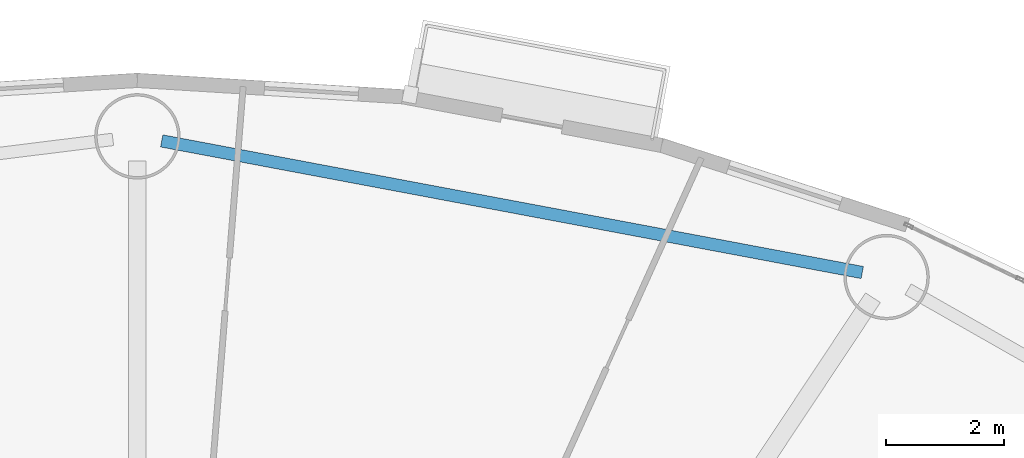
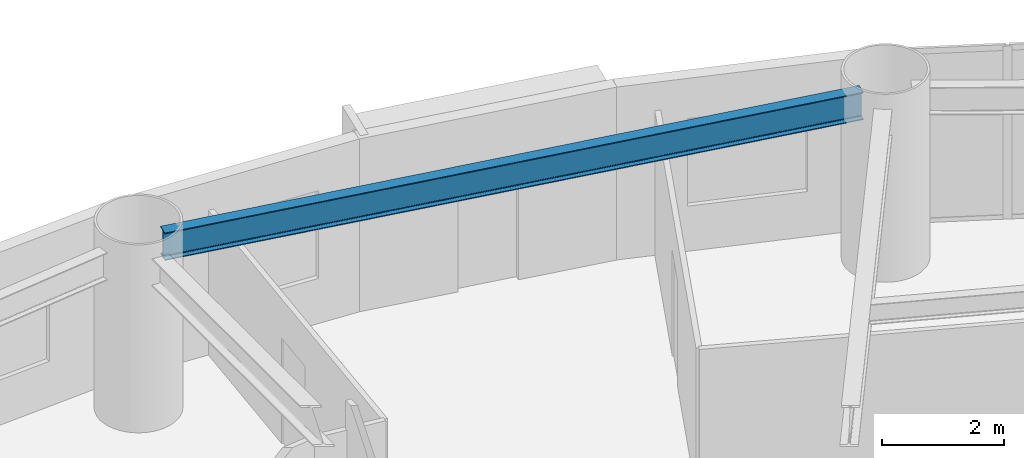
# One storey, part 4 of 17: 1 beam.
"""IFC4 building model written with IfcOpenShell, lengths in metres."""

from ifc_helpers import new_model, si_unit, direction, frame, origin, origin_2d, place, context, subcontext, project, spatial, i_section, extrude, material, material_profile, profile_set, type_object, element, save


model = new_model("IFC4")

# Units and contexts
model_context = context("Model", 3, precision=1e-05, world=origin(), true_north=direction((0.0, 1.0)))
body_context = subcontext(model_context, "Body", "Model", "MODEL_VIEW")
ifc_project = project(units=[si_unit("LENGTHUNIT", "METRE"), si_unit("AREAUNIT", "SQUARE_METRE"), si_unit("VOLUMEUNIT", "CUBIC_METRE"), si_unit("PLANEANGLEUNIT", "RADIAN"), si_unit("MASSUNIT", "GRAM", prefix="KILO")], contexts=[model_context])

# Site, building, storey
site_placement = place(None, origin())
site = spatial("IfcSite", under=ifc_project, at=site_placement, CompositionType="ELEMENT")
building_placement = place(site_placement, origin())
building = spatial("IfcBuilding", under=site, at=building_placement, Name="Linh Dai School and Residence Tower", CompositionType="ELEMENT")
storey_placement = place(building_placement, frame((0.0, 0.0, 142.199951171875)))
storey = spatial("IfcBuildingStorey", under=building, at=storey_placement, Name="L34", CompositionType="ELEMENT", Elevation=142.199951171875)

# Beam
ifc_material = material(Name="Structural Steel S355JR", Category="steel")
ifc_material_profile = material_profile(ifc_material, i_section(OverallWidth=0.2099609375, OverallDepth=0.550048828125, WebThickness=0.010986328125, FlangeThickness=0.01708984375, FilletRadius=0.02392578125, at=origin_2d()), Name="IPE 550")
ifc_profile_set = profile_set([ifc_material_profile], Name="Structural Steel S355JR")
beam_type = type_object("IfcBeamType", Name="BM-RB55", PredefinedType="BEAM", material=ifc_profile_set)
beam_placement = place(storey_placement, frame((48.30908203125, 46.24267578125, 3.175048828125), z_axis=(-0.982807507457, 0.184633158685, 0.0), x_axis=(-0.184633158685, -0.982807507457, 0.0)))
element("IfcBeam", 1, at=beam_placement, inside=storey, type_object=beam_type, Name="L34 Perimeter Elliptical Ring Beam 04", PredefinedType="BEAM", context=body_context, shape_type="SweptSolid", body=[
    extrude(i_section(OverallWidth=0.2099609375, OverallDepth=0.550048828125, WebThickness=0.010986328125, FlangeThickness=0.01708984375, FilletRadius=0.02392578125, at=origin_2d()), origin(), (0.0, 0.0, 1.0), 12.104248046875),
])

save(model, "model.ifc")
